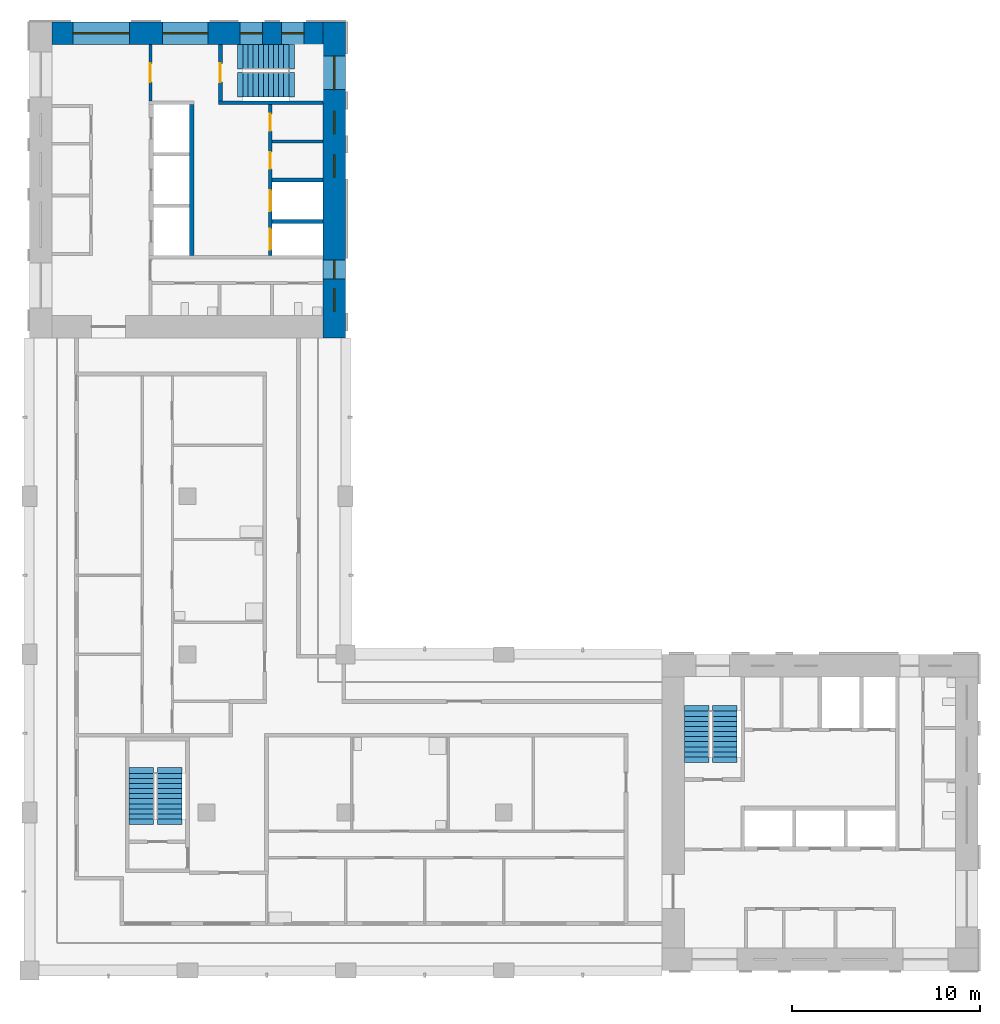
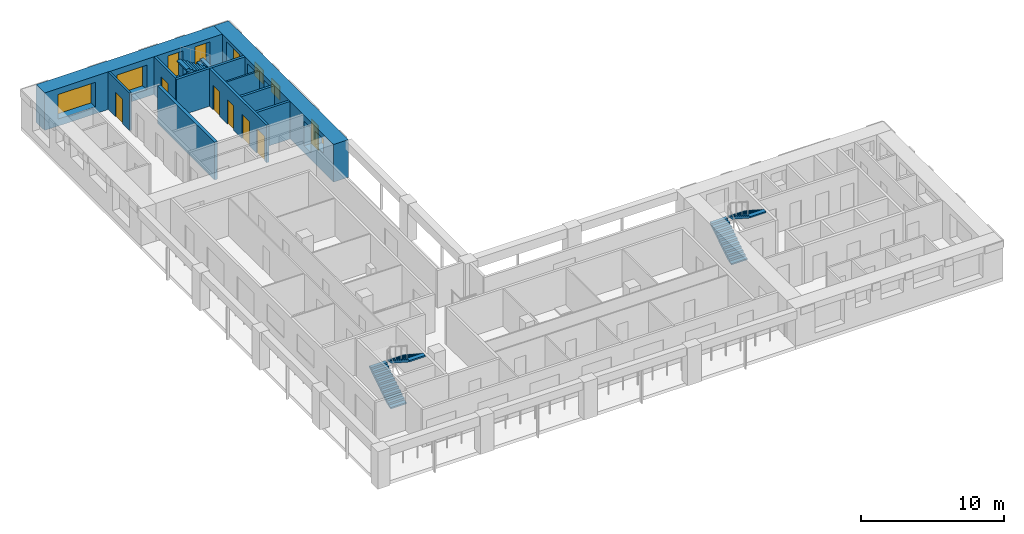
# One storey, part 6 of 9: 10 walls, 9 windows, 6 doors, 6 stair flights, 15 openings, 3 elements without a shape of their own.
"""IFC4 building model written with IfcOpenShell, lengths in metres."""

from ifc_helpers import new_model, si_unit, direction, frame, frame_2d, origin, place, context, subcontext, project, spatial, polyline, rectangle, outline, extrude, material, layer, layer_set, type_object, element, fill, aggregate, save


model = new_model("IFC4")

# Units and contexts
model_context = context("Model", 3, precision=1e-05, world=origin(), true_north=direction((0.0, 1.0)))
body_context = subcontext(model_context, "Body", "Model", "MODEL_VIEW")
ifc_project = project(units=[si_unit("LENGTHUNIT", "METRE"), si_unit("AREAUNIT", "SQUARE_METRE"), si_unit("VOLUMEUNIT", "CUBIC_METRE"), si_unit("PLANEANGLEUNIT", "RADIAN"), si_unit("MASSUNIT", "GRAM", prefix="KILO")], contexts=[model_context])

# Site, building, storey
site_placement = place(None, origin())
site = spatial("IfcSite", under=ifc_project, at=site_placement, CompositionType="ELEMENT")
building_placement = place(site_placement, origin())
building = spatial("IfcBuilding", under=site, at=building_placement, Name="Vermilion Gate Residences", CompositionType="ELEMENT")
storey_placement = place(building_placement, frame((0.0, 0.0, 231.699951171875)))
storey = spatial("IfcBuildingStorey", under=building, at=storey_placement, Name="L60", CompositionType="ELEMENT", Elevation=231.699951171875)

# Wall
ifc_material_1 = material(Name="Masonry blockwork", Category="masonry")
ifc_layer_1 = layer(ifc_material_1, 0.14990234375)
ifc_layer_set_1 = layer_set([ifc_layer_1], Name="BLOCKWORK PARTITION 150 EI 120")
wall_type_1 = type_object("IfcWallType", Name="BLOCKWORK PARTITION 150 EI 120", PredefinedType="PARTITIONING", material=ifc_layer_set_1)
wall_1_placement = place(storey_placement, frame((21.300048828125, 52.449951171875, 0.0), z_axis=(0.0, 0.0, 1.0), x_axis=(1.0, 0.0, 0.0)))
element("IfcWall", 1, at=wall_1_placement, inside=storey, type_object=wall_type_1, Name="Core room partition B60-NR-P0", PredefinedType="PARTITIONING", context=body_context, shape_type="SweptSolid", body=[
    extrude(rectangle(XDim=2.699951171875, YDim=0.14990234375, at=frame_2d((1.35009765625, 0.0))), origin(), (0.0, 0.0, 1.0), 3.219970703125),
])

# Wall, opening, door
wall_2_placement = place(storey_placement, frame((14.824951171875, 57.60009765625, 0.0), z_axis=(0.0, 0.0, 1.0), x_axis=(0.0, -1.0, 0.0)))
wall_2 = element("IfcWall", 2, at=wall_2_placement, inside=storey, type_object=wall_type_1, Name="Core room partition B60-VW-S", PredefinedType="PARTITIONING", context=body_context, shape_type="SweptSolid", body=[
    extrude(rectangle(XDim=3.0, YDim=0.14990234375, at=frame_2d((1.5, 0.0))), origin(), (0.0, 0.0, 1.0), 3.219970703125),
])
opening_1_placement = place(wall_2_placement, frame((1.0, 0.0, 0.0)))
opening_1 = element("IfcOpeningElement", 3, at=opening_1_placement, cuts=wall_2, Name="Opening DK60112", PredefinedType="OPENING", context=body_context, shape_type="SweptSolid", body=[
    extrude(rectangle(XDim=1.0, YDim=2.10009765625, at=frame_2d((0.5, 1.050048828125))), frame((0.0, 0.0849609375, 0.0), z_axis=(0.0, -1.0, 0.0), x_axis=(1.0, 0.0, 0.0)), (0.0, 0.0, 1.0), 0.169921875),
])
ifc_material_2 = material(Name="Steel", Category="steel")
door_type_1 = type_object("IfcDoorType", Name="FIRE DOOR FD60 1000 X 2100", OperationType="SINGLE_SWING_LEFT", PredefinedType="DOOR", material=ifc_material_2)
door_1_placement = place(opening_1_placement, frame((1.0, 0.0, 0.0), z_axis=(0.0, 0.0, 1.0), x_axis=(-1.0, 0.0, 0.0)))
door_1 = element("IfcDoor", 4, at=door_1_placement, inside=storey, type_object=door_type_1, Name="Stair vestibule door B60", OperationType="SINGLE_SWING_RIGHT", OverallHeight=2.10009765625, OverallWidth=1.0, PredefinedType="DOOR", context=body_context, shape_type="SweptSolid", body=[
    extrude(rectangle(XDim=1.0, YDim=2.10009765625, at=frame_2d((0.5, 1.050048828125))), frame((0.0, 0.02490234375, 0.0), z_axis=(0.0, -1.0, 0.0), x_axis=(1.0, 0.0, 0.0)), (0.0, 0.0, 1.0), 0.050048828125),
])
fill(opening_1, door_1)

# Walls
ifc_material_3 = material(Name="Concrete C60", Category="concrete")
ifc_layer_2 = layer(ifc_material_3, 0.199951171875)
ifc_layer_set_2 = layer_set([ifc_layer_2], Name="RC CORE INTERNAL WALL 200 C60")
wall_type_2 = type_object("IfcWallType", Name="RC CORE INTERNAL WALL 200 C60", PredefinedType="SHEAR", material=ifc_layer_set_2)
for number, where, z_axis, x_axis, name in (
    (5, (21.300048828125, 50.39990234375, 0.0), (0.0, 0.0, 1.0), (1.0, 0.0, 0.0), "Core internal wall B60-FF-D0"),
    (6, (21.300048828125, 48.199951171875, 0.0), (0.0, 0.0, 1.0), (1.0, 0.0, 0.0), "Core internal wall B60-FF-D1"),
):
    element("IfcWall", number, at=place(storey_placement, frame(where, z_axis=z_axis, x_axis=x_axis)), inside=storey, type_object=wall_type_2, Name=name, PredefinedType="SHEAR", context=body_context, shape_type="SweptSolid", body=[
        extrude(rectangle(XDim=2.699951171875, YDim=0.199951171875, at=frame_2d((1.35009765625, 0.0))), origin(), (0.0, 0.0, 1.0), 3.219970703125),
    ])

# Wall, openings, doors
wall_3_placement = place(storey_placement, frame((21.199951171875, 54.39990234375, 0.0), z_axis=(0.0, 0.0, 1.0), x_axis=(0.0, -1.0, 0.0)))
wall_3 = element("IfcWall", 7, at=wall_3_placement, inside=storey, type_object=wall_type_2, Name="Core internal wall B60-FF-F", PredefinedType="SHEAR", context=body_context, shape_type="SweptSolid", body=[
    extrude(rectangle(XDim=8.0, YDim=0.199951171875, at=frame_2d((4.0, 0.0))), origin(), (0.0, 0.0, 1.0), 3.219970703125),
])
opening_2_placement = place(wall_3_placement, frame((0.487548828125, 0.0, 0.0)))
opening_2 = element("IfcOpeningElement", 8, at=opening_2_placement, cuts=wall_3, Name="Opening DK60108", PredefinedType="OPENING", context=body_context, shape_type="SweptSolid", body=[
    extrude(rectangle(XDim=0.89990234375, YDim=2.10009765625, at=frame_2d((0.449951171875, 1.050048828125))), frame((0.0, 0.10986328125, 0.0), z_axis=(0.0, -1.0, 0.0), x_axis=(1.0, 0.0, 0.0)), (0.0, 0.0, 1.0), 0.219970703125),
])
opening_3_placement = place(wall_3_placement, frame((2.512451171875, 0.0, 0.0)))
opening_3 = element("IfcOpeningElement", 9, at=opening_3_placement, cuts=wall_3, Name="Opening DK60109", PredefinedType="OPENING", context=body_context, shape_type="SweptSolid", body=[
    extrude(rectangle(XDim=0.89990234375, YDim=2.10009765625, at=frame_2d((0.449951171875, 1.050048828125))), frame((0.0, 0.10986328125, 0.0), z_axis=(0.0, -1.0, 0.0), x_axis=(1.0, 0.0, 0.0)), (0.0, 0.0, 1.0), 0.219970703125),
])
opening_4_placement = place(wall_3_placement, frame((4.550048828125, 0.0, 0.0)))
opening_4 = element("IfcOpeningElement", 10, at=opening_4_placement, cuts=wall_3, Name="Opening LD", PredefinedType="OPENING", context=body_context, shape_type="SweptSolid", body=[
    extrude(rectangle(XDim=1.10009765625, YDim=2.10009765625, at=frame_2d((0.550048828125, 1.050048828125))), frame((0.0, 0.10986328125, 0.0), z_axis=(0.0, -1.0, 0.0), x_axis=(1.0, 0.0, 0.0)), (0.0, 0.0, 1.0), 0.219970703125),
])
opening_5_placement = place(wall_3_placement, frame((6.60009765625, 0.0, 0.0)))
opening_5 = element("IfcOpeningElement", 11, at=opening_5_placement, cuts=wall_3, Name="Opening LD", PredefinedType="OPENING", context=body_context, shape_type="SweptSolid", body=[
    extrude(rectangle(XDim=1.10009765625, YDim=2.10009765625, at=frame_2d((0.550048828125, 1.050048828125))), frame((0.0, 0.10986328125, 0.0), z_axis=(0.0, -1.0, 0.0), x_axis=(1.0, 0.0, 0.0)), (0.0, 0.0, 1.0), 0.219970703125),
])
ifc_material_4 = material(Name="Stainless steel", Category="steel")
door_type_2 = type_object("IfcDoorType", Name="LIFT LANDING DOOR E60 1100 X 2100", OperationType="DOUBLE_DOOR_SLIDING", PredefinedType="DOOR", material=ifc_material_4)
door_2_placement = place(opening_4_placement, origin())
door_2 = element("IfcDoor", 12, at=door_2_placement, inside=storey, type_object=door_type_2, Name="Lift landing door LFB1", OperationType="DOUBLE_DOOR_SLIDING", OverallHeight=2.10009765625, OverallWidth=1.10009765625, PredefinedType="DOOR", context=body_context, shape_type="SweptSolid", body=[
    extrude(rectangle(XDim=1.10009765625, YDim=2.10009765625, at=frame_2d((0.550048828125, 1.050048828125))), frame((0.0, 0.02490234375, 0.0), z_axis=(0.0, -1.0, 0.0), x_axis=(1.0, 0.0, 0.0)), (0.0, 0.0, 1.0), 0.050048828125),
])
fill(opening_4, door_2)
door_3_placement = place(opening_5_placement, origin())
door_3 = element("IfcDoor", 13, at=door_3_placement, inside=storey, type_object=door_type_2, Name="Lift landing door LCB1", OperationType="DOUBLE_DOOR_SLIDING", OverallHeight=2.10009765625, OverallWidth=1.10009765625, PredefinedType="DOOR", context=body_context, shape_type="SweptSolid", body=[
    extrude(rectangle(XDim=1.10009765625, YDim=2.10009765625, at=frame_2d((0.550048828125, 1.050048828125))), frame((0.0, 0.02490234375, 0.0), z_axis=(0.0, -1.0, 0.0), x_axis=(1.0, 0.0, 0.0)), (0.0, 0.0, 1.0), 0.050048828125),
])
fill(opening_5, door_3)
ifc_material_5 = material(Name="Steel", Category="steel")
door_type_3 = type_object("IfcDoorType", Name="SERVICE ROOM DOOR FD60 900 X 2100", OperationType="SINGLE_SWING_LEFT", PredefinedType="DOOR", material=ifc_material_5)
door_4_placement = place(opening_2_placement, origin())
door_4 = element("IfcDoor", 14, at=door_4_placement, inside=storey, type_object=door_type_3, Name="Housekeeping store B60", OperationType="SINGLE_SWING_RIGHT", OverallHeight=2.10009765625, OverallWidth=0.89990234375, PredefinedType="DOOR", context=body_context, shape_type="SweptSolid", body=[
    extrude(rectangle(XDim=0.89990234375, YDim=2.10009765625, at=frame_2d((0.449951171875, 1.050048828125))), frame((0.0, 0.02490234375, 0.0), z_axis=(0.0, -1.0, 0.0), x_axis=(1.0, 0.0, 0.0)), (0.0, 0.0, 1.0), 0.050048828125),
])
fill(opening_2, door_4)
door_5_placement = place(opening_3_placement, origin())
door_5 = element("IfcDoor", 15, at=door_5_placement, inside=storey, type_object=door_type_3, Name="Mail room B60", OperationType="SINGLE_SWING_RIGHT", OverallHeight=2.10009765625, OverallWidth=0.89990234375, PredefinedType="DOOR", context=body_context, shape_type="SweptSolid", body=[
    extrude(rectangle(XDim=0.89990234375, YDim=2.10009765625, at=frame_2d((0.449951171875, 1.050048828125))), frame((0.0, 0.02490234375, 0.0), z_axis=(0.0, -1.0, 0.0), x_axis=(1.0, 0.0, 0.0)), (0.0, 0.0, 1.0), 0.050048828125),
])
fill(opening_3, door_5)

# Wall
wall_4_placement = place(storey_placement, frame((18.449951171875, 54.5, 0.0), z_axis=(0.0, 0.0, 1.0), x_axis=(1.0, 0.0, 0.0)))
element("IfcWall", 16, at=wall_4_placement, inside=storey, type_object=wall_type_2, Name="Core internal wall B60-WDIV2", PredefinedType="SHEAR", context=body_context, shape_type="SweptSolid", body=[
    extrude(rectangle(XDim=5.550048828125, YDim=0.199951171875, at=frame_2d((2.77490234375, 0.0))), origin(), (0.0, 0.0, 1.0), 3.219970703125),
])

# Wall, opening, door
wall_5_placement = place(storey_placement, frame((18.550048828125, 57.60009765625, 0.0), z_axis=(0.0, 0.0, 1.0), x_axis=(0.0, -1.0, 0.0)))
wall_5 = element("IfcWall", 17, at=wall_5_placement, inside=storey, type_object=wall_type_2, Name="Core internal wall B60-STW-S", PredefinedType="SHEAR", context=body_context, shape_type="SweptSolid", body=[
    extrude(rectangle(XDim=3.0, YDim=0.199951171875, at=frame_2d((1.5, 0.0))), origin(), (0.0, 0.0, 1.0), 3.219970703125),
])
opening_6_placement = place(wall_5_placement, frame((1.0, 0.0, 0.0)))
opening_6 = element("IfcOpeningElement", 18, at=opening_6_placement, cuts=wall_5, Name="Opening DK60113", PredefinedType="OPENING", context=body_context, shape_type="SweptSolid", body=[
    extrude(rectangle(XDim=1.0, YDim=2.10009765625, at=frame_2d((0.5, 1.050048828125))), frame((0.0, 0.10986328125, 0.0), z_axis=(0.0, -1.0, 0.0), x_axis=(1.0, 0.0, 0.0)), (0.0, 0.0, 1.0), 0.219970703125),
])
door_6_placement = place(opening_6_placement, origin())
door_6 = element("IfcDoor", 19, at=door_6_placement, inside=storey, type_object=door_type_1, Name="Stair door B60", OperationType="SINGLE_SWING_LEFT", OverallHeight=2.10009765625, OverallWidth=1.0, PredefinedType="DOOR", context=body_context, shape_type="SweptSolid", body=[
    extrude(rectangle(XDim=1.0, YDim=2.10009765625, at=frame_2d((0.5, 1.050048828125))), frame((0.0, 0.02490234375, 0.0), z_axis=(0.0, -1.0, 0.0), x_axis=(1.0, 0.0, 0.0)), (0.0, 0.0, 1.0), 0.050048828125),
])
fill(opening_6, door_6)

# Wall, openings, windows
ifc_material_6 = material(Name="Concrete C50 red-oxide pigmented", Category="concrete")
ifc_layer_3 = layer(ifc_material_6, 1.199951171875)
ifc_layer_set_3 = layer_set([ifc_layer_3], Name="RC CORE WALL 1200 C50 RED OXIDE")
wall_type_3 = type_object("IfcWallType", Name="RC CORE WALL 1200 C50 RED OXIDE", PredefinedType="SHEAR", material=ifc_layer_set_3)
wall_6_placement = place(storey_placement, frame((24.60009765625, 58.800048828125, 0.0), z_axis=(0.0, 0.0, 1.0), x_axis=(0.0, -1.0, 0.0)))
wall_6 = element("IfcWall", 20, at=wall_6_placement, inside=storey, type_object=wall_type_3, Name="Core wall B60-OUT-B1", PredefinedType="SHEAR", context=body_context, shape_type="SweptSolid", body=[
    extrude(rectangle(XDim=16.800048828125, YDim=1.199951171875, at=frame_2d((8.39990234375, 0.0))), origin(), (0.0, 0.0, 1.0), 3.219970703125),
])
opening_7_placement = place(wall_6_placement, frame((1.800048828125, 0.0, 0.5)))
opening_7 = element("IfcOpeningElement", 21, at=opening_7_placement, cuts=wall_6, Name="Opening WKB6006", PredefinedType="OPENING", context=body_context, shape_type="SweptSolid", body=[
    extrude(rectangle(XDim=1.800048828125, YDim=2.39990234375, at=frame_2d((0.89990234375, 1.199951171875))), frame((0.0, 0.60986328125, 0.0), z_axis=(0.0, -1.0, 0.0), x_axis=(1.0, 0.0, 0.0)), (0.0, 0.0, 1.0), 1.219970703125),
])
opening_8_placement = place(wall_6_placement, frame((4.737548828125, 0.0, 1.60009765625)))
opening_8 = element("IfcOpeningElement", 22, at=opening_8_placement, cuts=wall_6, Name="Opening WKB6007", PredefinedType="OPENING", context=body_context, shape_type="SweptSolid", body=[
    extrude(rectangle(XDim=1.199951171875, YDim=1.199951171875, at=frame_2d((0.60009765625, 0.60009765625))), frame((0.0, 0.60986328125, 0.0), z_axis=(0.0, -1.0, 0.0), x_axis=(1.0, 0.0, 0.0)), (0.0, 0.0, 1.0), 1.219970703125),
])
opening_9_placement = place(wall_6_placement, frame((7.050048828125, 0.0, 1.60009765625)))
opening_9 = element("IfcOpeningElement", 23, at=opening_9_placement, cuts=wall_6, Name="Opening WKB6008", PredefinedType="OPENING", context=body_context, shape_type="SweptSolid", body=[
    extrude(rectangle(XDim=1.199951171875, YDim=1.199951171875, at=frame_2d((0.60009765625, 0.60009765625))), frame((0.0, 0.60986328125, 0.0), z_axis=(0.0, -1.0, 0.0), x_axis=(1.0, 0.0, 0.0)), (0.0, 0.0, 1.0), 1.219970703125),
])
opening_10_placement = place(wall_6_placement, frame((12.64990234375, 0.0, 0.60009765625)))
opening_10 = element("IfcOpeningElement", 24, at=opening_10_placement, cuts=wall_6, Name="Opening WKB6009", PredefinedType="OPENING", context=body_context, shape_type="SweptSolid", body=[
    extrude(rectangle(XDim=1.0, YDim=2.10009765625, at=frame_2d((0.5, 1.050048828125))), frame((0.0, 0.60986328125, 0.0), z_axis=(0.0, -1.0, 0.0), x_axis=(1.0, 0.0, 0.0)), (0.0, 0.0, 1.0), 1.219970703125),
])
opening_11_placement = place(wall_6_placement, frame((14.175048828125, 0.0, 1.60009765625)))
opening_11 = element("IfcOpeningElement", 25, at=opening_11_placement, cuts=wall_6, Name="Opening WKB6010", PredefinedType="OPENING", context=body_context, shape_type="SweptSolid", body=[
    extrude(rectangle(XDim=1.199951171875, YDim=1.199951171875, at=frame_2d((0.60009765625, 0.60009765625))), frame((0.0, 0.60986328125, 0.0), z_axis=(0.0, -1.0, 0.0), x_axis=(1.0, 0.0, 0.0)), (0.0, 0.0, 1.0), 1.219970703125),
])
ifc_material_7 = material(Name="Aluminium and clear glass", Category="aluminium")
window_type_1 = type_object("IfcWindowType", Name="CORE CORRIDOR WINDOW 1000 X 2100", PartitioningType="SINGLE_PANEL", PredefinedType="WINDOW", material=ifc_material_7)
window_1_placement = place(opening_10_placement, origin())
window_1 = element("IfcWindow", 26, at=window_1_placement, inside=storey, type_object=window_type_1, Name="Core corridor window", OverallHeight=2.10009765625, OverallWidth=1.0, PartitioningType="SINGLE_PANEL", PredefinedType="WINDOW", context=body_context, shape_type="SweptSolid", body=[
    extrude(rectangle(XDim=1.0, YDim=2.10009765625, at=frame_2d((0.5, 1.050048828125))), frame((0.0, 0.030029296875, 0.0), z_axis=(0.0, -1.0, 0.0), x_axis=(1.0, 0.0, 0.0)), (0.0, 0.0, 1.0), 0.06005859375),
])
fill(opening_10, window_1)
ifc_material_8 = material(Name="Aluminium frame with louvre blades", Category="aluminium")
window_type_2 = type_object("IfcWindowType", Name="CORE LOUVRE 1200 X 1200", PartitioningType="SINGLE_PANEL", PredefinedType="WINDOW", material=ifc_material_8)
window_2_placement = place(opening_8_placement, origin())
window_2 = element("IfcWindow", 27, at=window_2_placement, inside=storey, type_object=window_type_2, Name="Core louvre", OverallHeight=1.199951171875, OverallWidth=1.199951171875, PartitioningType="SINGLE_PANEL", PredefinedType="WINDOW", context=body_context, shape_type="SweptSolid", body=[
    extrude(rectangle(XDim=1.199951171875, YDim=1.199951171875, at=frame_2d((0.60009765625, 0.60009765625))), frame((0.0, 0.030029296875, 0.0), z_axis=(0.0, -1.0, 0.0), x_axis=(1.0, 0.0, 0.0)), (0.0, 0.0, 1.0), 0.06005859375),
])
fill(opening_8, window_2)
window_3_placement = place(opening_9_placement, origin())
window_3 = element("IfcWindow", 28, at=window_3_placement, inside=storey, type_object=window_type_2, Name="Core louvre", OverallHeight=1.199951171875, OverallWidth=1.199951171875, PartitioningType="SINGLE_PANEL", PredefinedType="WINDOW", context=body_context, shape_type="SweptSolid", body=[
    extrude(rectangle(XDim=1.199951171875, YDim=1.199951171875, at=frame_2d((0.60009765625, 0.60009765625))), frame((0.0, 0.030029296875, 0.0), z_axis=(0.0, -1.0, 0.0), x_axis=(1.0, 0.0, 0.0)), (0.0, 0.0, 1.0), 0.06005859375),
])
fill(opening_9, window_3)
window_4_placement = place(opening_11_placement, origin())
window_4 = element("IfcWindow", 29, at=window_4_placement, inside=storey, type_object=window_type_2, Name="Core louvre", OverallHeight=1.199951171875, OverallWidth=1.199951171875, PartitioningType="SINGLE_PANEL", PredefinedType="WINDOW", context=body_context, shape_type="SweptSolid", body=[
    extrude(rectangle(XDim=1.199951171875, YDim=1.199951171875, at=frame_2d((0.60009765625, 0.60009765625))), frame((0.0, 0.030029296875, 0.0), z_axis=(0.0, -1.0, 0.0), x_axis=(1.0, 0.0, 0.0)), (0.0, 0.0, 1.0), 0.06005859375),
])
fill(opening_11, window_4)
ifc_material_9 = material(Name="Aluminium and clear glass", Category="aluminium")
window_type_3 = type_object("IfcWindowType", Name="CORE STAIR WINDOW 1800 X 2400", PartitioningType="SINGLE_PANEL", PredefinedType="WINDOW", material=ifc_material_9)
window_5_placement = place(opening_7_placement, origin())
window_5 = element("IfcWindow", 30, at=window_5_placement, inside=storey, type_object=window_type_3, Name="Core stair window", OverallHeight=2.39990234375, OverallWidth=1.800048828125, PartitioningType="SINGLE_PANEL", PredefinedType="WINDOW", context=body_context, shape_type="SweptSolid", body=[
    extrude(rectangle(XDim=1.800048828125, YDim=2.39990234375, at=frame_2d((0.89990234375, 1.199951171875))), frame((0.0, 0.030029296875, 0.0), z_axis=(0.0, -1.0, 0.0), x_axis=(1.0, 0.0, 0.0)), (0.0, 0.0, 1.0), 0.06005859375),
])
fill(opening_7, window_5)

wall_7_placement = place(storey_placement, frame((9.60009765625, 58.199951171875, 0.0), z_axis=(0.0, 0.0, 1.0), x_axis=(1.0, 0.0, 0.0)))
wall_7 = element("IfcWall", 31, at=wall_7_placement, inside=storey, type_object=wall_type_3, Name="Core wall B60-OUT-FR", PredefinedType="SHEAR", context=body_context, shape_type="SweptSolid", body=[
    extrude(rectangle(XDim=14.39990234375, YDim=1.199951171875, at=frame_2d((7.199951171875, 0.0))), origin(), (0.0, 0.0, 1.0), 3.219970703125),
])
opening_12_placement = place(wall_7_placement, frame((1.10498046875, 0.0, 0.60009765625)))
opening_12 = element("IfcOpeningElement", 32, at=opening_12_placement, cuts=wall_7, Name="Opening WKB6011", PredefinedType="OPENING", context=body_context, shape_type="SweptSolid", body=[
    extrude(rectangle(XDim=3.0, YDim=2.10009765625, at=frame_2d((1.5, 1.050048828125))), frame((0.0, 0.60986328125, 0.0), z_axis=(0.0, -1.0, 0.0), x_axis=(1.0, 0.0, 0.0)), (0.0, 0.0, 1.0), 1.219970703125),
])
opening_13_placement = place(wall_7_placement, frame((5.875, 0.0, 0.60009765625)))
opening_13 = element("IfcOpeningElement", 33, at=opening_13_placement, cuts=wall_7, Name="Opening WKB6012", PredefinedType="OPENING", context=body_context, shape_type="SweptSolid", body=[
    extrude(rectangle(XDim=2.39990234375, YDim=2.10009765625, at=frame_2d((1.199951171875, 1.050048828125))), frame((0.0, 0.60986328125, 0.0), z_axis=(0.0, -1.0, 0.0), x_axis=(1.0, 0.0, 0.0)), (0.0, 0.0, 1.0), 1.219970703125),
])
opening_14_placement = place(wall_7_placement, frame((9.993408203125, 0.0, 0.5)))
opening_14 = element("IfcOpeningElement", 34, at=opening_14_placement, cuts=wall_7, Name="Opening WKB6013", PredefinedType="OPENING", context=body_context, shape_type="SweptSolid", body=[
    extrude(rectangle(XDim=1.199951171875, YDim=2.39990234375, at=frame_2d((0.60009765625, 1.199951171875))), frame((0.0, 0.60986328125, 0.0), z_axis=(0.0, -1.0, 0.0), x_axis=(1.0, 0.0, 0.0)), (0.0, 0.0, 1.0), 1.219970703125),
])
opening_15_placement = place(wall_7_placement, frame((12.19677734375, 0.0, 0.5)))
opening_15 = element("IfcOpeningElement", 35, at=opening_15_placement, cuts=wall_7, Name="Opening WKB6014", PredefinedType="OPENING", context=body_context, shape_type="SweptSolid", body=[
    extrude(rectangle(XDim=1.199951171875, YDim=2.39990234375, at=frame_2d((0.60009765625, 1.199951171875))), frame((0.0, 0.60986328125, 0.0), z_axis=(0.0, -1.0, 0.0), x_axis=(1.0, 0.0, 0.0)), (0.0, 0.0, 1.0), 1.219970703125),
])
ifc_material_10 = material(Name="Aluminium and clear glass", Category="aluminium")
window_type_4 = type_object("IfcWindowType", Name="CORE LOBBY WINDOW 2400 X 2100", PartitioningType="SINGLE_PANEL", PredefinedType="WINDOW", material=ifc_material_10)
window_6_placement = place(opening_13_placement, origin())
window_6 = element("IfcWindow", 36, at=window_6_placement, inside=storey, type_object=window_type_4, Name="Core lobby window", OverallHeight=2.10009765625, OverallWidth=2.39990234375, PartitioningType="SINGLE_PANEL", PredefinedType="WINDOW", context=body_context, shape_type="SweptSolid", body=[
    extrude(rectangle(XDim=2.39990234375, YDim=2.10009765625, at=frame_2d((1.199951171875, 1.050048828125))), frame((0.0, 0.030029296875, 0.0), z_axis=(0.0, -1.0, 0.0), x_axis=(1.0, 0.0, 0.0)), (0.0, 0.0, 1.0), 0.06005859375),
])
fill(opening_13, window_6)
ifc_material_11 = material(Name="Aluminium and clear glass", Category="aluminium")
window_type_5 = type_object("IfcWindowType", Name="CORE LOBBY WINDOW 3000 X 2100", PartitioningType="SINGLE_PANEL", PredefinedType="WINDOW", material=ifc_material_11)
window_7_placement = place(opening_12_placement, origin())
window_7 = element("IfcWindow", 37, at=window_7_placement, inside=storey, type_object=window_type_5, Name="Core lobby window", OverallHeight=2.10009765625, OverallWidth=3.0, PartitioningType="SINGLE_PANEL", PredefinedType="WINDOW", context=body_context, shape_type="SweptSolid", body=[
    extrude(rectangle(XDim=3.0, YDim=2.10009765625, at=frame_2d((1.5, 1.050048828125))), frame((0.0, 0.030029296875, 0.0), z_axis=(0.0, -1.0, 0.0), x_axis=(1.0, 0.0, 0.0)), (0.0, 0.0, 1.0), 0.06005859375),
])
fill(opening_12, window_7)
ifc_material_12 = material(Name="Aluminium and clear glass", Category="aluminium")
window_type_6 = type_object("IfcWindowType", Name="CORE STAIR WINDOW 1200 X 2400", PartitioningType="SINGLE_PANEL", PredefinedType="WINDOW", material=ifc_material_12)
window_8_placement = place(opening_14_placement, origin())
window_8 = element("IfcWindow", 38, at=window_8_placement, inside=storey, type_object=window_type_6, Name="Core stair window", OverallHeight=2.39990234375, OverallWidth=1.199951171875, PartitioningType="SINGLE_PANEL", PredefinedType="WINDOW", context=body_context, shape_type="SweptSolid", body=[
    extrude(rectangle(XDim=1.199951171875, YDim=2.39990234375, at=frame_2d((0.60009765625, 1.199951171875))), frame((0.0, 0.030029296875, 0.0), z_axis=(0.0, -1.0, 0.0), x_axis=(1.0, 0.0, 0.0)), (0.0, 0.0, 1.0), 0.06005859375),
])
fill(opening_14, window_8)
window_9_placement = place(opening_15_placement, origin())
window_9 = element("IfcWindow", 39, at=window_9_placement, inside=storey, type_object=window_type_6, Name="Core stair window", OverallHeight=2.39990234375, OverallWidth=1.199951171875, PartitioningType="SINGLE_PANEL", PredefinedType="WINDOW", context=body_context, shape_type="SweptSolid", body=[
    extrude(rectangle(XDim=1.199951171875, YDim=2.39990234375, at=frame_2d((0.60009765625, 1.199951171875))), frame((0.0, 0.030029296875, 0.0), z_axis=(0.0, -1.0, 0.0), x_axis=(1.0, 0.0, 0.0)), (0.0, 0.0, 1.0), 0.06005859375),
])
fill(opening_15, window_9)

# Wall
ifc_material_13 = material(Name="Concrete C60", Category="concrete")
ifc_layer_4 = layer(ifc_material_13, 0.25)
ifc_layer_set_4 = layer_set([ifc_layer_4], Name="RC LIFT SHAFT WALL 250 C60")
wall_type_4 = type_object("IfcWallType", Name="RC LIFT SHAFT WALL 250 C60", PredefinedType="SHEAR", material=ifc_layer_set_4)
wall_8_placement = place(storey_placement, frame((17.02490234375, 54.39990234375, 0.0), z_axis=(0.0, 0.0, 1.0), x_axis=(0.0, -1.0, 0.0)))
element("IfcWall", 40, at=wall_8_placement, inside=storey, type_object=wall_type_4, Name="Lift shaft wall B60-HR-B", PredefinedType="SHEAR", context=body_context, shape_type="SweptSolid", body=[
    extrude(rectangle(XDim=8.0, YDim=0.25, at=frame_2d((4.0, 0.0))), origin(), (0.0, 0.0, 1.0), 3.219970703125),
])

# Stair, stair flights
ifc_material_14 = material(Name="Concrete C50", Category="concrete")
stair_type = type_object("IfcStairType", Name="SPECIAL ESCAPE STAIR 1300", PredefinedType="HALF_TURN_STAIR", material=ifc_material_14)
stair_1_placement = place(storey_placement, origin())
stair_1 = element("IfcStair", 41, at=stair_1_placement, inside=storey, type_object=stair_type, Name="Special escape stair STA1-60", PredefinedType="HALF_TURN_STAIR")
ifc_material_15 = material(Name="Concrete C50", Category="concrete")
stair_flight_type = type_object("IfcStairFlightType", Name="STAIR FLIGHT 1300 RC C50", PredefinedType="STRAIGHT", material=ifc_material_15)
stair_flight_1_placement = place(storey_placement, frame((43.85009765625, 19.75, 0.0), z_axis=(0.0, 0.0, 1.0), x_axis=(0.0, 1.0, 0.0)))
stair_flight_1 = element("IfcStairFlight", 42, at=stair_flight_1_placement, type_object=stair_flight_type, Name="STA1-60 flight 1", NumberOfRisers=10, NumberOfTreads=9, PredefinedType="STRAIGHT", RiserHeight=0.175, TreadLength=0.27, context=body_context, shape_type="SweptSolid", body=[
    extrude(outline(polyline([(-0.300048828125, -0.14990234375), (-0.300048828125, -0.030029296875), (0.0, 0.0), (0.0, 0.175048828125), (0.27001953125, 0.175048828125), (0.27001953125, 0.35009765625), (0.5400390625, 0.35009765625), (0.5400390625, 0.52490234375), (0.81005859375, 0.52490234375), (0.81005859375, 0.699951171875), (1.080078125, 0.699951171875), (1.080078125, 0.875), (1.35009765625, 0.875), (1.35009765625, 1.050048828125), (1.6201171875, 1.050048828125), (1.6201171875, 1.22509765625), (1.889892578125, 1.22509765625), (1.889892578125, 1.39990234375), (2.159912109375, 1.39990234375), (2.159912109375, 1.574951171875), (2.429931640625, 1.574951171875), (2.429931640625, 1.75), (2.72998046875, 1.719970703125), (2.72998046875, 1.60009765625), (2.429931640625, 1.396484375), (0.275634765625, 0.0), (-0.300048828125, -0.14990234375)])), frame((0.0, 0.64990234375, 0.0), z_axis=(0.0, -1.0, 0.0), x_axis=(1.0, 0.0, 0.0)), (0.0, 0.0, 1.0), 1.300048828125),
])
stair_flight_2_placement = place(storey_placement, frame((45.35009765625, 22.179931640625, 1.75), z_axis=(0.0, 0.0, 1.0), x_axis=(0.0, -1.0, 0.0)))
stair_flight_2 = element("IfcStairFlight", 43, at=stair_flight_2_placement, type_object=stair_flight_type, Name="STA1-60 flight 2", NumberOfRisers=10, NumberOfTreads=9, PredefinedType="STRAIGHT", RiserHeight=0.175, TreadLength=0.27, context=body_context, shape_type="SweptSolid", body=[
    extrude(outline(polyline([(-0.300048828125, -0.14990234375), (-0.300048828125, -0.030029296875), (0.0, 0.0), (0.0, 0.175048828125), (0.27001953125, 0.175048828125), (0.27001953125, 0.35009765625), (0.5400390625, 0.35009765625), (0.5400390625, 0.52490234375), (0.81005859375, 0.52490234375), (0.81005859375, 0.699951171875), (1.080078125, 0.699951171875), (1.080078125, 0.875), (1.35009765625, 0.875), (1.35009765625, 1.050048828125), (1.6201171875, 1.050048828125), (1.6201171875, 1.22509765625), (1.889892578125, 1.22509765625), (1.889892578125, 1.39990234375), (2.159912109375, 1.39990234375), (2.159912109375, 1.574951171875), (2.429931640625, 1.574951171875), (2.429931640625, 1.75), (2.72998046875, 1.719970703125), (2.72998046875, 1.60009765625), (2.429931640625, 1.396484375), (0.275634765625, 0.0), (-0.300048828125, -0.14990234375)])), frame((0.0, 0.64990234375, 0.0), z_axis=(0.0, -1.0, 0.0), x_axis=(1.0, 0.0, 0.0)), (0.0, 0.0, 1.0), 1.300048828125),
])
aggregate(stair_1, [stair_flight_1, stair_flight_2])

stair_2_placement = place(storey_placement, origin())
stair_2 = element("IfcStair", 44, at=stair_2_placement, inside=storey, type_object=stair_type, Name="Special escape stair STB1-60", PredefinedType="HALF_TURN_STAIR")
stair_flight_3_placement = place(storey_placement, frame((19.75, 56.949951171875, 0.0), z_axis=(0.0, 0.0, 1.0), x_axis=(1.0, 0.0, 0.0)))
stair_flight_3 = element("IfcStairFlight", 45, at=stair_flight_3_placement, type_object=stair_flight_type, Name="STB1-60 flight 1", NumberOfRisers=10, NumberOfTreads=9, PredefinedType="STRAIGHT", RiserHeight=0.175, TreadLength=0.27, context=body_context, shape_type="SweptSolid", body=[
    extrude(outline(polyline([(-0.300048828125, -0.14990234375), (-0.300048828125, -0.030029296875), (0.0, 0.0), (0.0, 0.175048828125), (0.27001953125, 0.175048828125), (0.27001953125, 0.35009765625), (0.5400390625, 0.35009765625), (0.5400390625, 0.52490234375), (0.81005859375, 0.52490234375), (0.81005859375, 0.699951171875), (1.080078125, 0.699951171875), (1.080078125, 0.875), (1.35009765625, 0.875), (1.35009765625, 1.050048828125), (1.6201171875, 1.050048828125), (1.6201171875, 1.22509765625), (1.889892578125, 1.22509765625), (1.889892578125, 1.39990234375), (2.159912109375, 1.39990234375), (2.159912109375, 1.574951171875), (2.429931640625, 1.574951171875), (2.429931640625, 1.75), (2.72998046875, 1.719970703125), (2.72998046875, 1.60009765625), (2.429931640625, 1.396484375), (0.275634765625, 0.0), (-0.300048828125, -0.14990234375)])), frame((0.0, 0.64990234375, 0.0), z_axis=(0.0, -1.0, 0.0), x_axis=(1.0, 0.0, 0.0)), (0.0, 0.0, 1.0), 1.300048828125),
])
stair_flight_4_placement = place(storey_placement, frame((22.179931640625, 55.449951171875, 1.75), z_axis=(0.0, 0.0, 1.0), x_axis=(-1.0, 0.0, 0.0)))
stair_flight_4 = element("IfcStairFlight", 46, at=stair_flight_4_placement, type_object=stair_flight_type, Name="STB1-60 flight 2", NumberOfRisers=10, NumberOfTreads=9, PredefinedType="STRAIGHT", RiserHeight=0.175, TreadLength=0.27, context=body_context, shape_type="SweptSolid", body=[
    extrude(outline(polyline([(-0.300048828125, -0.14990234375), (-0.300048828125, -0.030029296875), (0.0, 0.0), (0.0, 0.175048828125), (0.27001953125, 0.175048828125), (0.27001953125, 0.35009765625), (0.5400390625, 0.35009765625), (0.5400390625, 0.52490234375), (0.81005859375, 0.52490234375), (0.81005859375, 0.699951171875), (1.080078125, 0.699951171875), (1.080078125, 0.875), (1.35009765625, 0.875), (1.35009765625, 1.050048828125), (1.6201171875, 1.050048828125), (1.6201171875, 1.22509765625), (1.889892578125, 1.22509765625), (1.889892578125, 1.39990234375), (2.159912109375, 1.39990234375), (2.159912109375, 1.574951171875), (2.429931640625, 1.574951171875), (2.429931640625, 1.75), (2.72998046875, 1.719970703125), (2.72998046875, 1.60009765625), (2.429931640625, 1.396484375), (0.275634765625, 0.0), (-0.300048828125, -0.14990234375)])), frame((0.0, 0.64990234375, 0.0), z_axis=(0.0, -1.0, 0.0), x_axis=(1.0, 0.0, 0.0)), (0.0, 0.0, 1.0), 1.300048828125),
])
aggregate(stair_2, [stair_flight_3, stair_flight_4])

stair_3_placement = place(storey_placement, origin())
stair_3 = element("IfcStair", 47, at=stair_3_placement, inside=storey, type_object=stair_type, Name="Special escape stair STC1-60", PredefinedType="HALF_TURN_STAIR")
stair_flight_5_placement = place(storey_placement, frame((14.35009765625, 16.449951171875, 0.0), z_axis=(0.0, 0.0, 1.0), x_axis=(0.0, 1.0, 0.0)))
stair_flight_5 = element("IfcStairFlight", 48, at=stair_flight_5_placement, type_object=stair_flight_type, Name="STC1-60 flight 1", NumberOfRisers=10, NumberOfTreads=9, PredefinedType="STRAIGHT", RiserHeight=0.175, TreadLength=0.27, context=body_context, shape_type="SweptSolid", body=[
    extrude(outline(polyline([(-0.300048828125, -0.14990234375), (-0.300048828125, -0.030029296875), (0.0, 0.0), (0.0, 0.175048828125), (0.27001953125, 0.175048828125), (0.27001953125, 0.35009765625), (0.5400390625, 0.35009765625), (0.5400390625, 0.52490234375), (0.81005859375, 0.52490234375), (0.81005859375, 0.699951171875), (1.080078125, 0.699951171875), (1.080078125, 0.875), (1.35009765625, 0.875), (1.35009765625, 1.050048828125), (1.6201171875, 1.050048828125), (1.6201171875, 1.22509765625), (1.889892578125, 1.22509765625), (1.889892578125, 1.39990234375), (2.159912109375, 1.39990234375), (2.159912109375, 1.574951171875), (2.429931640625, 1.574951171875), (2.429931640625, 1.75), (2.72998046875, 1.719970703125), (2.72998046875, 1.60009765625), (2.429931640625, 1.396484375), (0.275634765625, 0.0), (-0.300048828125, -0.14990234375)])), frame((0.0, 0.64990234375, 0.0), z_axis=(0.0, -1.0, 0.0), x_axis=(1.0, 0.0, 0.0)), (0.0, 0.0, 1.0), 1.300048828125),
])
stair_flight_6_placement = place(storey_placement, frame((15.85009765625, 18.8798828125, 1.75), z_axis=(0.0, 0.0, 1.0), x_axis=(0.0, -1.0, 0.0)))
stair_flight_6 = element("IfcStairFlight", 49, at=stair_flight_6_placement, type_object=stair_flight_type, Name="STC1-60 flight 2", NumberOfRisers=10, NumberOfTreads=9, PredefinedType="STRAIGHT", RiserHeight=0.175, TreadLength=0.27, context=body_context, shape_type="SweptSolid", body=[
    extrude(outline(polyline([(-0.300048828125, -0.14990234375), (-0.300048828125, -0.030029296875), (0.0, 0.0), (0.0, 0.175048828125), (0.27001953125, 0.175048828125), (0.27001953125, 0.35009765625), (0.5400390625, 0.35009765625), (0.5400390625, 0.52490234375), (0.81005859375, 0.52490234375), (0.81005859375, 0.699951171875), (1.080078125, 0.699951171875), (1.080078125, 0.875), (1.35009765625, 0.875), (1.35009765625, 1.050048828125), (1.6201171875, 1.050048828125), (1.6201171875, 1.22509765625), (1.889892578125, 1.22509765625), (1.889892578125, 1.39990234375), (2.159912109375, 1.39990234375), (2.159912109375, 1.574951171875), (2.429931640625, 1.574951171875), (2.429931640625, 1.75), (2.72998046875, 1.719970703125), (2.72998046875, 1.60009765625), (2.429931640625, 1.396484375), (0.275634765625, 0.0), (-0.300048828125, -0.14990234375)])), frame((0.0, 0.64990234375, 0.0), z_axis=(0.0, -1.0, 0.0), x_axis=(1.0, 0.0, 0.0)), (0.0, 0.0, 1.0), 1.300048828125),
])
aggregate(stair_3, [stair_flight_5, stair_flight_6])

save(model, "model.ifc")
